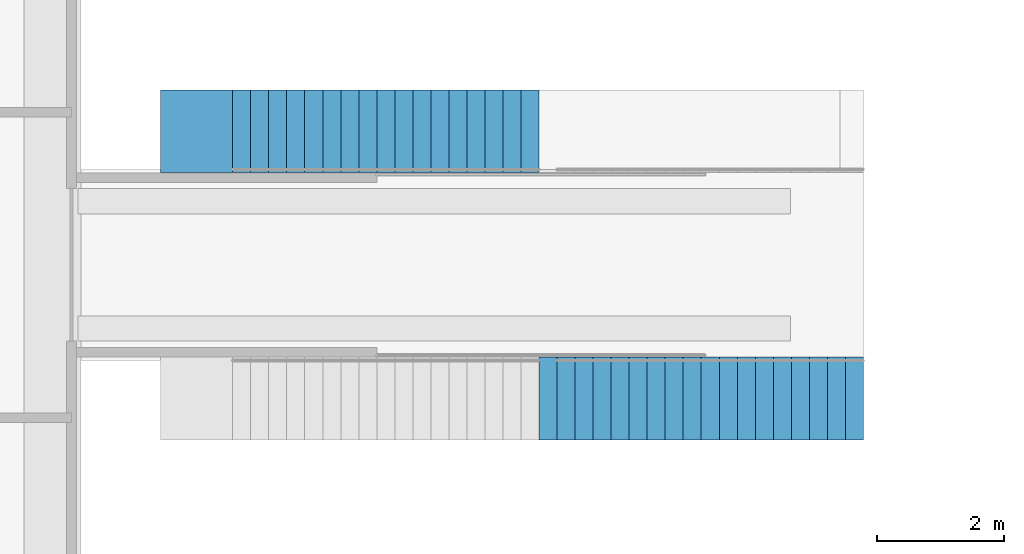
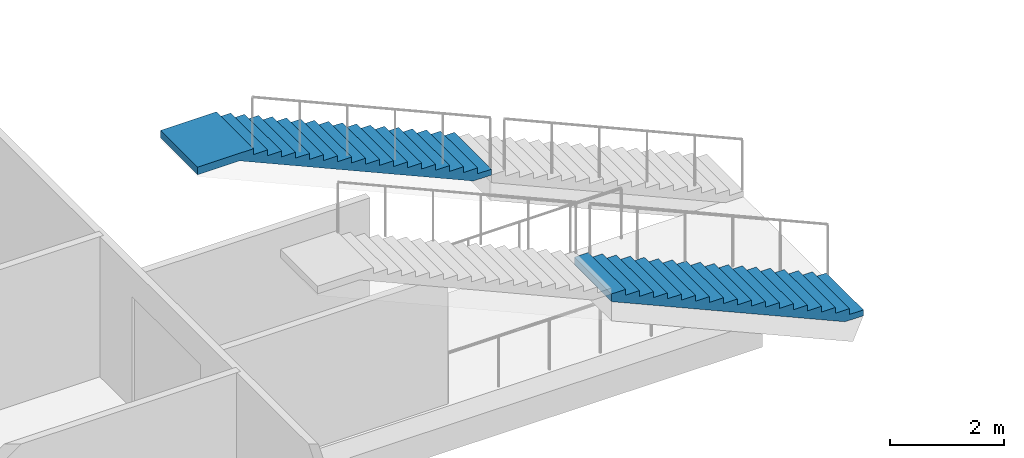
# One storey, part 80 of 175: 2 stair flights, 2 elements without a shape of their own.
"""IFC4 building model written with IfcOpenShell, lengths in metres."""

from ifc_helpers import new_model, si_unit, direction, frame, origin, place, context, subcontext, project, spatial, faceted_brep, material, type_object, element, aggregate, save


model = new_model("IFC4")

# Units and contexts
model_context = context("Model", 3, precision=1e-05, world=origin(), true_north=direction((0.0, 1.0)))
body_context = subcontext(model_context, "Body", "Model", "MODEL_VIEW")
ifc_project = project(units=[si_unit("LENGTHUNIT", "METRE"), si_unit("AREAUNIT", "SQUARE_METRE"), si_unit("VOLUMEUNIT", "CUBIC_METRE"), si_unit("PLANEANGLEUNIT", "RADIAN"), si_unit("MASSUNIT", "GRAM", prefix="KILO")], contexts=[model_context])

# Site, building, storey
site_placement = place(None, origin())
site = spatial("IfcSite", under=ifc_project, at=site_placement, CompositionType="ELEMENT")
building_placement = place(site_placement, origin())
building = spatial("IfcBuilding", under=site, at=building_placement, Name="Ogive Plaza Stadium", CompositionType="ELEMENT")
storey_placement = place(building_placement, origin())
storey = spatial("IfcBuildingStorey", under=building, at=storey_placement, Name="L00", CompositionType="ELEMENT", Elevation=0.0)

# Stair, stair flight
ifc_material_1 = material(Name="Concrete C40/50", Category="concrete")
stair_type = type_object("IfcStairType", Name="Aisle stair", PredefinedType="STRAIGHT_RUN_STAIR", material=ifc_material_1)
stair_1_placement = place(storey_placement, origin())
stair_1 = element("IfcStair", 1, at=stair_1_placement, inside=storey, type_object=stair_type, Name="Aisle stair SA23L", PredefinedType="STRAIGHT_RUN_STAIR")
ifc_material_2 = material(Name="Concrete C40/50", Category="concrete")
stair_flight_type = type_object("IfcStairFlightType", Name="Aisle stair flight", PredefinedType="STRAIGHT", material=ifc_material_2)
stair_flight_1_placement = place(storey_placement, frame((-54.25, -12.89990234375, 2.25), z_axis=(0.0, 0.0, 1.0), x_axis=(-1.0, 0.0, 0.0)))
stair_flight_1 = element("IfcStairFlight", 2, at=stair_flight_1_placement, type_object=stair_flight_type, Name="SA23L flight 2", NumberOfRisers=18, NumberOfTreads=17, PredefinedType="STRAIGHT", RiserHeight=0.125, TreadLength=0.283333333, context=body_context, shape_type="Brep", body=[
    faceted_brep([(0.371337890625, -0.64990234375, 0.0), (5.10009765625, -0.64990234375, 2.086181640625), (5.949951171875, -0.64990234375, 2.086181640625), (5.949951171875, -0.64990234375, 2.25), (4.816650390625, -0.64990234375, 2.25), (4.816650390625, -0.64990234375, 2.125), (4.533447265625, -0.64990234375, 2.125), (4.533447265625, -0.64990234375, 2.0), (4.25, -0.64990234375, 2.0), (4.25, -0.64990234375, 1.875), (3.966552734375, -0.64990234375, 1.875), (3.966552734375, -0.64990234375, 1.75), (3.683349609375, -0.64990234375, 1.75), (3.683349609375, -0.64990234375, 1.625), (3.39990234375, -0.64990234375, 1.625), (3.39990234375, -0.64990234375, 1.5), (3.11669921875, -0.64990234375, 1.5), (3.11669921875, -0.64990234375, 1.375), (2.833251953125, -0.64990234375, 1.375), (2.833251953125, -0.64990234375, 1.25), (2.550048828125, -0.64990234375, 1.25), (2.550048828125, -0.64990234375, 1.125), (2.2666015625, -0.64990234375, 1.125), (2.2666015625, -0.64990234375, 1.0), (1.9833984375, -0.64990234375, 1.0), (1.9833984375, -0.64990234375, 0.875), (1.699951171875, -0.64990234375, 0.875), (1.699951171875, -0.64990234375, 0.75), (1.416748046875, -0.64990234375, 0.75), (1.416748046875, -0.64990234375, 0.625), (1.13330078125, -0.64990234375, 0.625), (1.13330078125, -0.64990234375, 0.5), (0.85009765625, -0.64990234375, 0.5), (0.85009765625, -0.64990234375, 0.375), (0.566650390625, -0.64990234375, 0.375), (0.566650390625, -0.64990234375, 0.25), (0.283447265625, -0.64990234375, 0.25), (0.283447265625, -0.64990234375, 0.125), (0.0, -0.64990234375, 0.125), (0.0, -0.64990234375, 0.0), (0.0, 0.64990234375, 0.0), (0.0, 0.64990234375, 0.125), (0.283447265625, 0.64990234375, 0.125), (0.283447265625, 0.64990234375, 0.25), (0.566650390625, 0.64990234375, 0.25), (0.566650390625, 0.64990234375, 0.375), (0.85009765625, 0.64990234375, 0.375), (0.85009765625, 0.64990234375, 0.5), (1.13330078125, 0.64990234375, 0.5), (1.13330078125, 0.64990234375, 0.625), (1.416748046875, 0.64990234375, 0.625), (1.416748046875, 0.64990234375, 0.75), (1.699951171875, 0.64990234375, 0.75), (1.699951171875, 0.64990234375, 0.875), (1.9833984375, 0.64990234375, 0.875), (1.9833984375, 0.64990234375, 1.0), (2.2666015625, 0.64990234375, 1.0), (2.2666015625, 0.64990234375, 1.125), (2.550048828125, 0.64990234375, 1.125), (2.550048828125, 0.64990234375, 1.25), (2.833251953125, 0.64990234375, 1.25), (2.833251953125, 0.64990234375, 1.375), (3.11669921875, 0.64990234375, 1.375), (3.11669921875, 0.64990234375, 1.5), (3.39990234375, 0.64990234375, 1.5), (3.39990234375, 0.64990234375, 1.625), (3.683349609375, 0.64990234375, 1.625), (3.683349609375, 0.64990234375, 1.75), (3.966552734375, 0.64990234375, 1.75), (3.966552734375, 0.64990234375, 1.875), (4.25, 0.64990234375, 1.875), (4.25, 0.64990234375, 2.0), (4.533447265625, 0.64990234375, 2.0), (4.533447265625, 0.64990234375, 2.125), (4.816650390625, 0.64990234375, 2.125), (4.816650390625, 0.64990234375, 2.25), (5.949951171875, 0.64990234375, 2.25), (5.949951171875, 0.64990234375, 2.086181640625), (5.10009765625, 0.64990234375, 2.086181640625), (0.371337890625, 0.64990234375, 0.0), (0.371337890625, -0.324951171875, 0.0), (5.10009765625, -0.324951171875, 2.086181640625), (0.371337890625, 0.0, 0.0), (5.10009765625, 0.0, 2.086181640625), (0.371337890625, 0.324951171875, 0.0), (5.10009765625, 0.324951171875, 2.086181640625), (5.949951171875, -0.324951171875, 2.086181640625), (5.949951171875, 0.0, 2.086181640625), (5.949951171875, 0.324951171875, 2.086181640625), (5.949951171875, -0.324951171875, 2.25), (5.949951171875, 0.0, 2.25), (5.949951171875, 0.324951171875, 2.25), (4.816650390625, -0.324951171875, 2.25), (4.816650390625, 0.0, 2.25), (4.816650390625, 0.324951171875, 2.25), (4.816650390625, -0.324951171875, 2.125), (4.816650390625, 0.0, 2.125), (4.816650390625, 0.324951171875, 2.125), (4.533447265625, -0.324951171875, 2.125), (4.533447265625, 0.0, 2.125), (4.533447265625, 0.324951171875, 2.125), (4.533447265625, -0.324951171875, 2.0), (4.533447265625, 0.0, 2.0), (4.533447265625, 0.324951171875, 2.0), (4.25, -0.324951171875, 2.0), (4.25, 0.0, 2.0), (4.25, 0.324951171875, 2.0), (4.25, -0.324951171875, 1.875), (4.25, 0.0, 1.875), (4.25, 0.324951171875, 1.875), (3.966552734375, -0.324951171875, 1.875), (3.966552734375, 0.0, 1.875), (3.966552734375, 0.324951171875, 1.875), (3.966552734375, -0.324951171875, 1.75), (3.966552734375, 0.0, 1.75), (3.966552734375, 0.324951171875, 1.75), (3.683349609375, -0.324951171875, 1.75), (3.683349609375, 0.0, 1.75), (3.683349609375, 0.324951171875, 1.75), (3.683349609375, -0.324951171875, 1.625), (3.683349609375, 0.0, 1.625), (3.683349609375, 0.324951171875, 1.625), (3.39990234375, -0.324951171875, 1.625), (3.39990234375, 0.0, 1.625), (3.39990234375, 0.324951171875, 1.625), (3.39990234375, -0.324951171875, 1.5), (3.39990234375, 0.0, 1.5), (3.39990234375, 0.324951171875, 1.5), (3.11669921875, -0.324951171875, 1.5), (3.11669921875, 0.0, 1.5), (3.11669921875, 0.324951171875, 1.5), (3.11669921875, -0.324951171875, 1.375), (3.11669921875, 0.0, 1.375), (3.11669921875, 0.324951171875, 1.375), (2.833251953125, -0.324951171875, 1.375), (2.833251953125, 0.0, 1.375), (2.833251953125, 0.324951171875, 1.375), (2.833251953125, -0.324951171875, 1.25), (2.833251953125, 0.0, 1.25), (2.833251953125, 0.324951171875, 1.25), (2.550048828125, -0.324951171875, 1.25), (2.550048828125, 0.0, 1.25), (2.550048828125, 0.324951171875, 1.25), (2.550048828125, -0.324951171875, 1.125), (2.550048828125, 0.0, 1.125), (2.550048828125, 0.324951171875, 1.125), (2.2666015625, -0.324951171875, 1.125), (2.2666015625, 0.0, 1.125), (2.2666015625, 0.324951171875, 1.125), (2.2666015625, -0.324951171875, 1.0), (2.2666015625, 0.0, 1.0), (2.2666015625, 0.324951171875, 1.0), (1.9833984375, -0.324951171875, 1.0), (1.9833984375, 0.0, 1.0), (1.9833984375, 0.324951171875, 1.0), (1.9833984375, -0.324951171875, 0.875), (1.9833984375, 0.0, 0.875), (1.9833984375, 0.324951171875, 0.875), (1.699951171875, -0.324951171875, 0.875), (1.699951171875, 0.0, 0.875), (1.699951171875, 0.324951171875, 0.875), (1.699951171875, -0.324951171875, 0.75), (1.699951171875, 0.0, 0.75), (1.699951171875, 0.324951171875, 0.75), (1.416748046875, -0.324951171875, 0.75), (1.416748046875, 0.0, 0.75), (1.416748046875, 0.324951171875, 0.75), (1.416748046875, -0.324951171875, 0.625), (1.416748046875, 0.0, 0.625), (1.416748046875, 0.324951171875, 0.625), (1.13330078125, -0.324951171875, 0.625), (1.13330078125, 0.0, 0.625), (1.13330078125, 0.324951171875, 0.625), (1.13330078125, -0.324951171875, 0.5), (1.13330078125, 0.0, 0.5), (1.13330078125, 0.324951171875, 0.5), (0.85009765625, -0.324951171875, 0.5), (0.85009765625, 0.0, 0.5), (0.85009765625, 0.324951171875, 0.5), (0.85009765625, -0.324951171875, 0.375), (0.85009765625, 0.0, 0.375), (0.85009765625, 0.324951171875, 0.375), (0.566650390625, -0.324951171875, 0.375), (0.566650390625, 0.0, 0.375), (0.566650390625, 0.324951171875, 0.375), (0.566650390625, -0.324951171875, 0.25), (0.566650390625, 0.0, 0.25), (0.566650390625, 0.324951171875, 0.25), (0.283447265625, -0.324951171875, 0.25), (0.283447265625, 0.0, 0.25), (0.283447265625, 0.324951171875, 0.25), (0.283447265625, -0.324951171875, 0.125), (0.283447265625, 0.0, 0.125), (0.283447265625, 0.324951171875, 0.125), (0.0, -0.324951171875, 0.125), (0.0, 0.0, 0.125), (0.0, 0.324951171875, 0.125), (0.0, -0.324951171875, 0.0), (0.0, 0.0, 0.0), (0.0, 0.324951171875, 0.0)], [[[0, 1, 2, 3, 4, 5, 6, 7, 8, 9, 10, 11, 12, 13, 14, 15, 16, 17, 18, 19, 20, 21, 22, 23, 24, 25, 26, 27, 28, 29, 30, 31, 32, 33, 34, 35, 36, 37, 38, 39]], [[40, 41, 42, 43, 44, 45, 46, 47, 48, 49, 50, 51, 52, 53, 54, 55, 56, 57, 58, 59, 60, 61, 62, 63, 64, 65, 66, 67, 68, 69, 70, 71, 72, 73, 74, 75, 76, 77, 78, 79]], [[0, 80, 81, 1]], [[80, 82, 83, 81]], [[82, 84, 85, 83]], [[84, 79, 78, 85]], [[1, 81, 86, 2]], [[81, 83, 87, 86]], [[83, 85, 88, 87]], [[85, 78, 77, 88]], [[2, 86, 89, 3]], [[86, 87, 90, 89]], [[87, 88, 91, 90]], [[88, 77, 76, 91]], [[3, 89, 92, 4]], [[89, 90, 93, 92]], [[90, 91, 94, 93]], [[91, 76, 75, 94]], [[4, 92, 95, 5]], [[92, 93, 96, 95]], [[93, 94, 97, 96]], [[94, 75, 74, 97]], [[5, 95, 98, 6]], [[95, 96, 99, 98]], [[96, 97, 100, 99]], [[97, 74, 73, 100]], [[6, 98, 101, 7]], [[98, 99, 102, 101]], [[99, 100, 103, 102]], [[100, 73, 72, 103]], [[7, 101, 104, 8]], [[101, 102, 105, 104]], [[102, 103, 106, 105]], [[103, 72, 71, 106]], [[8, 104, 107, 9]], [[104, 105, 108, 107]], [[105, 106, 109, 108]], [[106, 71, 70, 109]], [[9, 107, 110, 10]], [[107, 108, 111, 110]], [[108, 109, 112, 111]], [[109, 70, 69, 112]], [[10, 110, 113, 11]], [[110, 111, 114, 113]], [[111, 112, 115, 114]], [[112, 69, 68, 115]], [[11, 113, 116, 12]], [[113, 114, 117, 116]], [[114, 115, 118, 117]], [[115, 68, 67, 118]], [[12, 116, 119, 13]], [[116, 117, 120, 119]], [[117, 118, 121, 120]], [[118, 67, 66, 121]], [[13, 119, 122, 14]], [[119, 120, 123, 122]], [[120, 121, 124, 123]], [[121, 66, 65, 124]], [[14, 122, 125, 15]], [[122, 123, 126, 125]], [[123, 124, 127, 126]], [[124, 65, 64, 127]], [[15, 125, 128, 16]], [[125, 126, 129, 128]], [[126, 127, 130, 129]], [[127, 64, 63, 130]], [[16, 128, 131, 17]], [[128, 129, 132, 131]], [[129, 130, 133, 132]], [[130, 63, 62, 133]], [[17, 131, 134, 18]], [[131, 132, 135, 134]], [[132, 133, 136, 135]], [[133, 62, 61, 136]], [[18, 134, 137, 19]], [[134, 135, 138, 137]], [[135, 136, 139, 138]], [[136, 61, 60, 139]], [[19, 137, 140, 20]], [[137, 138, 141, 140]], [[138, 139, 142, 141]], [[139, 60, 59, 142]], [[20, 140, 143, 21]], [[140, 141, 144, 143]], [[141, 142, 145, 144]], [[142, 59, 58, 145]], [[21, 143, 146, 22]], [[143, 144, 147, 146]], [[144, 145, 148, 147]], [[145, 58, 57, 148]], [[22, 146, 149, 23]], [[146, 147, 150, 149]], [[147, 148, 151, 150]], [[148, 57, 56, 151]], [[23, 149, 152, 24]], [[149, 150, 153, 152]], [[150, 151, 154, 153]], [[151, 56, 55, 154]], [[24, 152, 155, 25]], [[152, 153, 156, 155]], [[153, 154, 157, 156]], [[154, 55, 54, 157]], [[25, 155, 158, 26]], [[155, 156, 159, 158]], [[156, 157, 160, 159]], [[157, 54, 53, 160]], [[26, 158, 161, 27]], [[158, 159, 162, 161]], [[159, 160, 163, 162]], [[160, 53, 52, 163]], [[27, 161, 164, 28]], [[161, 162, 165, 164]], [[162, 163, 166, 165]], [[163, 52, 51, 166]], [[28, 164, 167, 29]], [[164, 165, 168, 167]], [[165, 166, 169, 168]], [[166, 51, 50, 169]], [[29, 167, 170, 30]], [[167, 168, 171, 170]], [[168, 169, 172, 171]], [[169, 50, 49, 172]], [[30, 170, 173, 31]], [[170, 171, 174, 173]], [[171, 172, 175, 174]], [[172, 49, 48, 175]], [[31, 173, 176, 32]], [[173, 174, 177, 176]], [[174, 175, 178, 177]], [[175, 48, 47, 178]], [[32, 176, 179, 33]], [[176, 177, 180, 179]], [[177, 178, 181, 180]], [[178, 47, 46, 181]], [[33, 179, 182, 34]], [[179, 180, 183, 182]], [[180, 181, 184, 183]], [[181, 46, 45, 184]], [[34, 182, 185, 35]], [[182, 183, 186, 185]], [[183, 184, 187, 186]], [[184, 45, 44, 187]], [[35, 185, 188, 36]], [[185, 186, 189, 188]], [[186, 187, 190, 189]], [[187, 44, 43, 190]], [[36, 188, 191, 37]], [[188, 189, 192, 191]], [[189, 190, 193, 192]], [[190, 43, 42, 193]], [[37, 191, 194, 38]], [[191, 192, 195, 194]], [[192, 193, 196, 195]], [[193, 42, 41, 196]], [[38, 194, 197, 39]], [[194, 195, 198, 197]], [[195, 196, 199, 198]], [[196, 41, 40, 199]], [[39, 197, 80, 0]], [[197, 198, 82, 80]], [[198, 199, 84, 82]], [[199, 40, 79, 84]]]),
])
aggregate(stair_1, [stair_flight_1])

stair_2_placement = place(storey_placement, origin())
stair_2 = element("IfcStair", 3, at=stair_2_placement, inside=storey, type_object=stair_type, Name="Aisle stair SA23R", PredefinedType="STRAIGHT_RUN_STAIR")
stair_flight_2_placement = place(storey_placement, frame((-49.14990234375, -17.10009765625, 0.0), z_axis=(0.0, 0.0, 1.0), x_axis=(-1.0, 0.0, 0.0)))
stair_flight_2 = element("IfcStairFlight", 4, at=stair_flight_2_placement, type_object=stair_flight_type, Name="SA23R flight 1", NumberOfRisers=18, NumberOfTreads=17, PredefinedType="STRAIGHT", RiserHeight=0.125, TreadLength=0.283333333, context=body_context, shape_type="Brep", body=[
    faceted_brep([(0.371337890625, -0.64990234375, 0.0), (5.10009765625, -0.64990234375, 2.086181640625), (5.10009765625, -0.64990234375, 2.25), (4.816650390625, -0.64990234375, 2.25), (4.816650390625, -0.64990234375, 2.125), (4.533447265625, -0.64990234375, 2.125), (4.533447265625, -0.64990234375, 2.0), (4.25, -0.64990234375, 2.0), (4.25, -0.64990234375, 1.875), (3.966552734375, -0.64990234375, 1.875), (3.966552734375, -0.64990234375, 1.75), (3.683349609375, -0.64990234375, 1.75), (3.683349609375, -0.64990234375, 1.625), (3.39990234375, -0.64990234375, 1.625), (3.39990234375, -0.64990234375, 1.5), (3.11669921875, -0.64990234375, 1.5), (3.11669921875, -0.64990234375, 1.375), (2.833251953125, -0.64990234375, 1.375), (2.833251953125, -0.64990234375, 1.25), (2.550048828125, -0.64990234375, 1.25), (2.550048828125, -0.64990234375, 1.125), (2.2666015625, -0.64990234375, 1.125), (2.2666015625, -0.64990234375, 1.0), (1.9833984375, -0.64990234375, 1.0), (1.9833984375, -0.64990234375, 0.875), (1.699951171875, -0.64990234375, 0.875), (1.699951171875, -0.64990234375, 0.75), (1.416748046875, -0.64990234375, 0.75), (1.416748046875, -0.64990234375, 0.625), (1.13330078125, -0.64990234375, 0.625), (1.13330078125, -0.64990234375, 0.5), (0.85009765625, -0.64990234375, 0.5), (0.85009765625, -0.64990234375, 0.375), (0.566650390625, -0.64990234375, 0.375), (0.566650390625, -0.64990234375, 0.25), (0.283447265625, -0.64990234375, 0.25), (0.283447265625, -0.64990234375, 0.125), (0.0, -0.64990234375, 0.125), (0.0, -0.64990234375, 0.0), (0.0, 0.64990234375, 0.0), (0.0, 0.64990234375, 0.125), (0.283447265625, 0.64990234375, 0.125), (0.283447265625, 0.64990234375, 0.25), (0.566650390625, 0.64990234375, 0.25), (0.566650390625, 0.64990234375, 0.375), (0.85009765625, 0.64990234375, 0.375), (0.85009765625, 0.64990234375, 0.5), (1.13330078125, 0.64990234375, 0.5), (1.13330078125, 0.64990234375, 0.625), (1.416748046875, 0.64990234375, 0.625), (1.416748046875, 0.64990234375, 0.75), (1.699951171875, 0.64990234375, 0.75), (1.699951171875, 0.64990234375, 0.875), (1.9833984375, 0.64990234375, 0.875), (1.9833984375, 0.64990234375, 1.0), (2.2666015625, 0.64990234375, 1.0), (2.2666015625, 0.64990234375, 1.125), (2.550048828125, 0.64990234375, 1.125), (2.550048828125, 0.64990234375, 1.25), (2.833251953125, 0.64990234375, 1.25), (2.833251953125, 0.64990234375, 1.375), (3.11669921875, 0.64990234375, 1.375), (3.11669921875, 0.64990234375, 1.5), (3.39990234375, 0.64990234375, 1.5), (3.39990234375, 0.64990234375, 1.625), (3.683349609375, 0.64990234375, 1.625), (3.683349609375, 0.64990234375, 1.75), (3.966552734375, 0.64990234375, 1.75), (3.966552734375, 0.64990234375, 1.875), (4.25, 0.64990234375, 1.875), (4.25, 0.64990234375, 2.0), (4.533447265625, 0.64990234375, 2.0), (4.533447265625, 0.64990234375, 2.125), (4.816650390625, 0.64990234375, 2.125), (4.816650390625, 0.64990234375, 2.25), (5.10009765625, 0.64990234375, 2.25), (5.10009765625, 0.64990234375, 2.086181640625), (0.371337890625, 0.64990234375, 0.0), (0.371337890625, -0.324951171875, 0.0), (5.10009765625, -0.324951171875, 2.086181640625), (0.371337890625, 0.0, 0.0), (5.10009765625, 0.0, 2.086181640625), (0.371337890625, 0.324951171875, 0.0), (5.10009765625, 0.324951171875, 2.086181640625), (5.10009765625, -0.324951171875, 2.25), (5.10009765625, 0.0, 2.25), (5.10009765625, 0.324951171875, 2.25), (4.816650390625, -0.324951171875, 2.25), (4.816650390625, 0.0, 2.25), (4.816650390625, 0.324951171875, 2.25), (4.816650390625, -0.324951171875, 2.125), (4.816650390625, 0.0, 2.125), (4.816650390625, 0.324951171875, 2.125), (4.533447265625, -0.324951171875, 2.125), (4.533447265625, 0.0, 2.125), (4.533447265625, 0.324951171875, 2.125), (4.533447265625, -0.324951171875, 2.0), (4.533447265625, 0.0, 2.0), (4.533447265625, 0.324951171875, 2.0), (4.25, -0.324951171875, 2.0), (4.25, 0.0, 2.0), (4.25, 0.324951171875, 2.0), (4.25, -0.324951171875, 1.875), (4.25, 0.0, 1.875), (4.25, 0.324951171875, 1.875), (3.966552734375, -0.324951171875, 1.875), (3.966552734375, 0.0, 1.875), (3.966552734375, 0.324951171875, 1.875), (3.966552734375, -0.324951171875, 1.75), (3.966552734375, 0.0, 1.75), (3.966552734375, 0.324951171875, 1.75), (3.683349609375, -0.324951171875, 1.75), (3.683349609375, 0.0, 1.75), (3.683349609375, 0.324951171875, 1.75), (3.683349609375, -0.324951171875, 1.625), (3.683349609375, 0.0, 1.625), (3.683349609375, 0.324951171875, 1.625), (3.39990234375, -0.324951171875, 1.625), (3.39990234375, 0.0, 1.625), (3.39990234375, 0.324951171875, 1.625), (3.39990234375, -0.324951171875, 1.5), (3.39990234375, 0.0, 1.5), (3.39990234375, 0.324951171875, 1.5), (3.11669921875, -0.324951171875, 1.5), (3.11669921875, 0.0, 1.5), (3.11669921875, 0.324951171875, 1.5), (3.11669921875, -0.324951171875, 1.375), (3.11669921875, 0.0, 1.375), (3.11669921875, 0.324951171875, 1.375), (2.833251953125, -0.324951171875, 1.375), (2.833251953125, 0.0, 1.375), (2.833251953125, 0.324951171875, 1.375), (2.833251953125, -0.324951171875, 1.25), (2.833251953125, 0.0, 1.25), (2.833251953125, 0.324951171875, 1.25), (2.550048828125, -0.324951171875, 1.25), (2.550048828125, 0.0, 1.25), (2.550048828125, 0.324951171875, 1.25), (2.550048828125, -0.324951171875, 1.125), (2.550048828125, 0.0, 1.125), (2.550048828125, 0.324951171875, 1.125), (2.2666015625, -0.324951171875, 1.125), (2.2666015625, 0.0, 1.125), (2.2666015625, 0.324951171875, 1.125), (2.2666015625, -0.324951171875, 1.0), (2.2666015625, 0.0, 1.0), (2.2666015625, 0.324951171875, 1.0), (1.9833984375, -0.324951171875, 1.0), (1.9833984375, 0.0, 1.0), (1.9833984375, 0.324951171875, 1.0), (1.9833984375, -0.324951171875, 0.875), (1.9833984375, 0.0, 0.875), (1.9833984375, 0.324951171875, 0.875), (1.699951171875, -0.324951171875, 0.875), (1.699951171875, 0.0, 0.875), (1.699951171875, 0.324951171875, 0.875), (1.699951171875, -0.324951171875, 0.75), (1.699951171875, 0.0, 0.75), (1.699951171875, 0.324951171875, 0.75), (1.416748046875, -0.324951171875, 0.75), (1.416748046875, 0.0, 0.75), (1.416748046875, 0.324951171875, 0.75), (1.416748046875, -0.324951171875, 0.625), (1.416748046875, 0.0, 0.625), (1.416748046875, 0.324951171875, 0.625), (1.13330078125, -0.324951171875, 0.625), (1.13330078125, 0.0, 0.625), (1.13330078125, 0.324951171875, 0.625), (1.13330078125, -0.324951171875, 0.5), (1.13330078125, 0.0, 0.5), (1.13330078125, 0.324951171875, 0.5), (0.85009765625, -0.324951171875, 0.5), (0.85009765625, 0.0, 0.5), (0.85009765625, 0.324951171875, 0.5), (0.85009765625, -0.324951171875, 0.375), (0.85009765625, 0.0, 0.375), (0.85009765625, 0.324951171875, 0.375), (0.566650390625, -0.324951171875, 0.375), (0.566650390625, 0.0, 0.375), (0.566650390625, 0.324951171875, 0.375), (0.566650390625, -0.324951171875, 0.25), (0.566650390625, 0.0, 0.25), (0.566650390625, 0.324951171875, 0.25), (0.283447265625, -0.324951171875, 0.25), (0.283447265625, 0.0, 0.25), (0.283447265625, 0.324951171875, 0.25), (0.283447265625, -0.324951171875, 0.125), (0.283447265625, 0.0, 0.125), (0.283447265625, 0.324951171875, 0.125), (0.0, -0.324951171875, 0.125), (0.0, 0.0, 0.125), (0.0, 0.324951171875, 0.125), (0.0, -0.324951171875, 0.0), (0.0, 0.0, 0.0), (0.0, 0.324951171875, 0.0)], [[[0, 1, 2, 3, 4, 5, 6, 7, 8, 9, 10, 11, 12, 13, 14, 15, 16, 17, 18, 19, 20, 21, 22, 23, 24, 25, 26, 27, 28, 29, 30, 31, 32, 33, 34, 35, 36, 37, 38]], [[39, 40, 41, 42, 43, 44, 45, 46, 47, 48, 49, 50, 51, 52, 53, 54, 55, 56, 57, 58, 59, 60, 61, 62, 63, 64, 65, 66, 67, 68, 69, 70, 71, 72, 73, 74, 75, 76, 77]], [[0, 78, 79, 1]], [[78, 80, 81, 79]], [[80, 82, 83, 81]], [[82, 77, 76, 83]], [[1, 79, 84, 2]], [[79, 81, 85, 84]], [[81, 83, 86, 85]], [[83, 76, 75, 86]], [[2, 84, 87, 3]], [[84, 85, 88, 87]], [[85, 86, 89, 88]], [[86, 75, 74, 89]], [[3, 87, 90, 4]], [[87, 88, 91, 90]], [[88, 89, 92, 91]], [[89, 74, 73, 92]], [[4, 90, 93, 5]], [[90, 91, 94, 93]], [[91, 92, 95, 94]], [[92, 73, 72, 95]], [[5, 93, 96, 6]], [[93, 94, 97, 96]], [[94, 95, 98, 97]], [[95, 72, 71, 98]], [[6, 96, 99, 7]], [[96, 97, 100, 99]], [[97, 98, 101, 100]], [[98, 71, 70, 101]], [[7, 99, 102, 8]], [[99, 100, 103, 102]], [[100, 101, 104, 103]], [[101, 70, 69, 104]], [[8, 102, 105, 9]], [[102, 103, 106, 105]], [[103, 104, 107, 106]], [[104, 69, 68, 107]], [[9, 105, 108, 10]], [[105, 106, 109, 108]], [[106, 107, 110, 109]], [[107, 68, 67, 110]], [[10, 108, 111, 11]], [[108, 109, 112, 111]], [[109, 110, 113, 112]], [[110, 67, 66, 113]], [[11, 111, 114, 12]], [[111, 112, 115, 114]], [[112, 113, 116, 115]], [[113, 66, 65, 116]], [[12, 114, 117, 13]], [[114, 115, 118, 117]], [[115, 116, 119, 118]], [[116, 65, 64, 119]], [[13, 117, 120, 14]], [[117, 118, 121, 120]], [[118, 119, 122, 121]], [[119, 64, 63, 122]], [[14, 120, 123, 15]], [[120, 121, 124, 123]], [[121, 122, 125, 124]], [[122, 63, 62, 125]], [[15, 123, 126, 16]], [[123, 124, 127, 126]], [[124, 125, 128, 127]], [[125, 62, 61, 128]], [[16, 126, 129, 17]], [[126, 127, 130, 129]], [[127, 128, 131, 130]], [[128, 61, 60, 131]], [[17, 129, 132, 18]], [[129, 130, 133, 132]], [[130, 131, 134, 133]], [[131, 60, 59, 134]], [[18, 132, 135, 19]], [[132, 133, 136, 135]], [[133, 134, 137, 136]], [[134, 59, 58, 137]], [[19, 135, 138, 20]], [[135, 136, 139, 138]], [[136, 137, 140, 139]], [[137, 58, 57, 140]], [[20, 138, 141, 21]], [[138, 139, 142, 141]], [[139, 140, 143, 142]], [[140, 57, 56, 143]], [[21, 141, 144, 22]], [[141, 142, 145, 144]], [[142, 143, 146, 145]], [[143, 56, 55, 146]], [[22, 144, 147, 23]], [[144, 145, 148, 147]], [[145, 146, 149, 148]], [[146, 55, 54, 149]], [[23, 147, 150, 24]], [[147, 148, 151, 150]], [[148, 149, 152, 151]], [[149, 54, 53, 152]], [[24, 150, 153, 25]], [[150, 151, 154, 153]], [[151, 152, 155, 154]], [[152, 53, 52, 155]], [[25, 153, 156, 26]], [[153, 154, 157, 156]], [[154, 155, 158, 157]], [[155, 52, 51, 158]], [[26, 156, 159, 27]], [[156, 157, 160, 159]], [[157, 158, 161, 160]], [[158, 51, 50, 161]], [[27, 159, 162, 28]], [[159, 160, 163, 162]], [[160, 161, 164, 163]], [[161, 50, 49, 164]], [[28, 162, 165, 29]], [[162, 163, 166, 165]], [[163, 164, 167, 166]], [[164, 49, 48, 167]], [[29, 165, 168, 30]], [[165, 166, 169, 168]], [[166, 167, 170, 169]], [[167, 48, 47, 170]], [[30, 168, 171, 31]], [[168, 169, 172, 171]], [[169, 170, 173, 172]], [[170, 47, 46, 173]], [[31, 171, 174, 32]], [[171, 172, 175, 174]], [[172, 173, 176, 175]], [[173, 46, 45, 176]], [[32, 174, 177, 33]], [[174, 175, 178, 177]], [[175, 176, 179, 178]], [[176, 45, 44, 179]], [[33, 177, 180, 34]], [[177, 178, 181, 180]], [[178, 179, 182, 181]], [[179, 44, 43, 182]], [[34, 180, 183, 35]], [[180, 181, 184, 183]], [[181, 182, 185, 184]], [[182, 43, 42, 185]], [[35, 183, 186, 36]], [[183, 184, 187, 186]], [[184, 185, 188, 187]], [[185, 42, 41, 188]], [[36, 186, 189, 37]], [[186, 187, 190, 189]], [[187, 188, 191, 190]], [[188, 41, 40, 191]], [[37, 189, 192, 38]], [[189, 190, 193, 192]], [[190, 191, 194, 193]], [[191, 40, 39, 194]], [[38, 192, 78, 0]], [[192, 193, 80, 78]], [[193, 194, 82, 80]], [[194, 39, 77, 82]]]),
])
aggregate(stair_2, [stair_flight_2])

save(model, "model.ifc")
